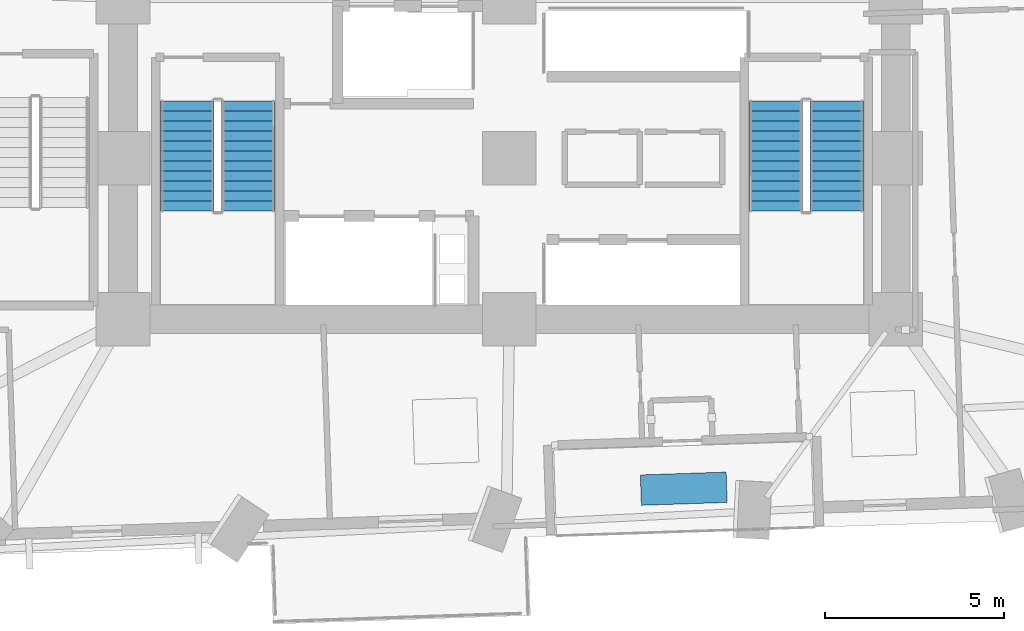
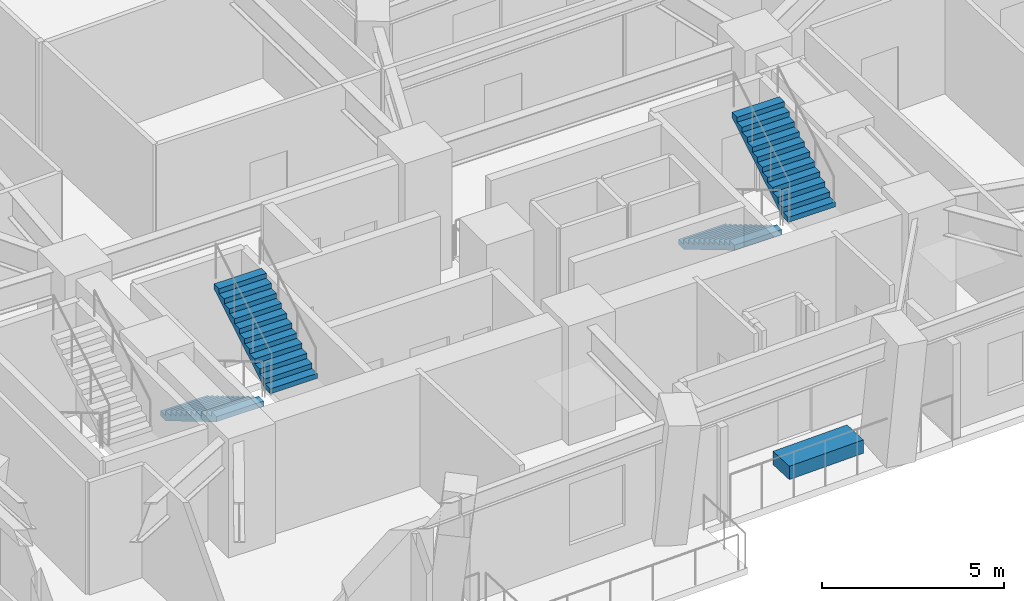
# One storey, part 10 of 14: 4 stair flights, 1 discrete accessory, 2 elements without a shape of their own.
"""IFC4 building model written with IfcOpenShell, lengths in metres."""

from ifc_helpers import new_model, si_unit, direction, frame, origin, origin_2d, place, context, subcontext, project, spatial, polyline, rectangle, outline, extrude, material, type_object, element, aggregate, save


model = new_model("IFC4")

# Units and contexts
model_context = context("Model", 3, precision=1e-05, world=origin(), true_north=direction((0.0, 1.0)))
body_context = subcontext(model_context, "Body", "Model", "MODEL_VIEW")
ifc_project = project(units=[si_unit("LENGTHUNIT", "METRE"), si_unit("AREAUNIT", "SQUARE_METRE"), si_unit("VOLUMEUNIT", "CUBIC_METRE"), si_unit("PLANEANGLEUNIT", "RADIAN"), si_unit("MASSUNIT", "GRAM", prefix="KILO")], contexts=[model_context])

# Site, building, storey
site_placement = place(None, origin())
site = spatial("IfcSite", under=ifc_project, at=site_placement, CompositionType="ELEMENT")
building_placement = place(site_placement, origin())
building = spatial("IfcBuilding", under=site, at=building_placement, Name="Gaonmaruhae Medical Tower", CompositionType="ELEMENT")
storey_placement = place(building_placement, frame((0.0, 0.0, 31.0)))
storey = spatial("IfcBuildingStorey", under=building, at=storey_placement, Name="L06", CompositionType="ELEMENT", Elevation=31.0)

# Stair, stair flights
ifc_material_1 = material(Name="Concrete C40/50", Category="concrete")
stair_type = type_object("IfcStairType", Name="ST-T1 Primary Core Escape Dogleg Stair", PredefinedType="TWO_QUARTER_TURN_STAIR", material=ifc_material_1)
stair_1_placement = place(storey_placement, origin())
stair_1 = element("IfcStair", 1, at=stair_1_placement, inside=storey, type_object=stair_type, Name="L06 Protected Escape Stair ST-01", PredefinedType="TWO_QUARTER_TURN_STAIR")
stair_flight_type = type_object("IfcStairFlightType", Name="SF-T1 Primary Core Precast Stair Flight", PredefinedType="STRAIGHT", material=ifc_material_1)
stair_flight_1_placement = place(storey_placement, frame((15.800048828125, 13.89990234375, 0.0), z_axis=(0.0, 0.0, 1.0), x_axis=(0.0, -1.0, 0.0)))
stair_flight_1 = element("IfcStairFlight", 2, at=stair_flight_1_placement, type_object=stair_flight_type, Name="ST-01 flight 1", NumberOfRisers=12, NumberOfTreads=11, PredefinedType="STRAIGHT", RiserHeight=0.166666667, TreadLength=0.28, context=body_context, shape_type="SweptSolid", body=[
    extrude(outline(polyline([(0.0, 0.0), (0.0, 0.166748046875), (0.280029296875, 0.166748046875), (0.280029296875, 0.333251953125), (0.56005859375, 0.333251953125), (0.56005859375, 0.5), (0.840087890625, 0.5), (0.840087890625, 0.666748046875), (1.1201171875, 0.666748046875), (1.1201171875, 0.833251953125), (1.39990234375, 0.833251953125), (1.39990234375, 1.0), (1.679931640625, 1.0), (1.679931640625, 1.166748046875), (1.9599609375, 1.166748046875), (1.9599609375, 1.333251953125), (2.239990234375, 1.333251953125), (2.239990234375, 1.5), (2.52001953125, 1.5), (2.52001953125, 1.666748046875), (2.800048828125, 1.666748046875), (2.800048828125, 1.833251953125), (3.080078125, 1.833251953125), (3.080078125, 2.0), (3.080078125, 1.658935546875), (0.29296875, 0.0), (0.0, 0.0)])), frame((0.0, 0.75, 0.0), z_axis=(0.0, -1.0, 0.0), x_axis=(1.0, 0.0, 0.0)), (0.0, 0.0, 1.0), 1.5),
])
stair_flight_2_placement = place(storey_placement, frame((17.5, 10.820068359375, 2.0), z_axis=(0.0, 0.0, 1.0), x_axis=(0.0, 1.0, 0.0)))
stair_flight_2 = element("IfcStairFlight", 3, at=stair_flight_2_placement, type_object=stair_flight_type, Name="ST-01 flight 2", NumberOfRisers=12, NumberOfTreads=11, PredefinedType="STRAIGHT", RiserHeight=0.166666667, TreadLength=0.28, context=body_context, shape_type="SweptSolid", body=[
    extrude(outline(polyline([(0.0, 0.0), (0.0, 0.166748046875), (0.280029296875, 0.166748046875), (0.280029296875, 0.333251953125), (0.56005859375, 0.333251953125), (0.56005859375, 0.5), (0.840087890625, 0.5), (0.840087890625, 0.666748046875), (1.1201171875, 0.666748046875), (1.1201171875, 0.833251953125), (1.39990234375, 0.833251953125), (1.39990234375, 1.0), (1.679931640625, 1.0), (1.679931640625, 1.166748046875), (1.9599609375, 1.166748046875), (1.9599609375, 1.333251953125), (2.239990234375, 1.333251953125), (2.239990234375, 1.5), (2.52001953125, 1.5), (2.52001953125, 1.666748046875), (2.800048828125, 1.666748046875), (2.800048828125, 1.833251953125), (3.080078125, 1.833251953125), (3.080078125, 2.0), (3.080078125, 1.658935546875), (0.29296875, 0.0), (0.0, 0.0)])), frame((0.0, 0.75, 0.0), z_axis=(0.0, -1.0, 0.0), x_axis=(1.0, 0.0, 0.0)), (0.0, 0.0, 1.0), 1.5),
])
aggregate(stair_1, [stair_flight_1, stair_flight_2])

stair_2_placement = place(storey_placement, origin())
stair_2 = element("IfcStair", 4, at=stair_2_placement, inside=storey, type_object=stair_type, Name="L06 Protected Escape Stair ST-02", PredefinedType="TWO_QUARTER_TURN_STAIR")
stair_flight_3_placement = place(storey_placement, frame((32.25, 13.89990234375, 0.0), z_axis=(0.0, 0.0, 1.0), x_axis=(0.0, -1.0, 0.0)))
stair_flight_3 = element("IfcStairFlight", 5, at=stair_flight_3_placement, type_object=stair_flight_type, Name="ST-02 flight 1", NumberOfRisers=12, NumberOfTreads=11, PredefinedType="STRAIGHT", RiserHeight=0.166666667, TreadLength=0.28, context=body_context, shape_type="SweptSolid", body=[
    extrude(outline(polyline([(0.0, 0.0), (0.0, 0.166748046875), (0.280029296875, 0.166748046875), (0.280029296875, 0.333251953125), (0.56005859375, 0.333251953125), (0.56005859375, 0.5), (0.840087890625, 0.5), (0.840087890625, 0.666748046875), (1.1201171875, 0.666748046875), (1.1201171875, 0.833251953125), (1.39990234375, 0.833251953125), (1.39990234375, 1.0), (1.679931640625, 1.0), (1.679931640625, 1.166748046875), (1.9599609375, 1.166748046875), (1.9599609375, 1.333251953125), (2.239990234375, 1.333251953125), (2.239990234375, 1.5), (2.52001953125, 1.5), (2.52001953125, 1.666748046875), (2.800048828125, 1.666748046875), (2.800048828125, 1.833251953125), (3.080078125, 1.833251953125), (3.080078125, 2.0), (3.080078125, 1.658935546875), (0.29296875, 0.0), (0.0, 0.0)])), frame((0.0, 0.75, 0.0), z_axis=(0.0, -1.0, 0.0), x_axis=(1.0, 0.0, 0.0)), (0.0, 0.0, 1.0), 1.5),
])
stair_flight_4_placement = place(storey_placement, frame((33.949951171875, 10.820068359375, 2.0), z_axis=(0.0, 0.0, 1.0), x_axis=(0.0, 1.0, 0.0)))
stair_flight_4 = element("IfcStairFlight", 6, at=stair_flight_4_placement, type_object=stair_flight_type, Name="ST-02 flight 2", NumberOfRisers=12, NumberOfTreads=11, PredefinedType="STRAIGHT", RiserHeight=0.166666667, TreadLength=0.28, context=body_context, shape_type="SweptSolid", body=[
    extrude(outline(polyline([(0.0, 0.0), (0.0, 0.166748046875), (0.280029296875, 0.166748046875), (0.280029296875, 0.333251953125), (0.56005859375, 0.333251953125), (0.56005859375, 0.5), (0.840087890625, 0.5), (0.840087890625, 0.666748046875), (1.1201171875, 0.666748046875), (1.1201171875, 0.833251953125), (1.39990234375, 0.833251953125), (1.39990234375, 1.0), (1.679931640625, 1.0), (1.679931640625, 1.166748046875), (1.9599609375, 1.166748046875), (1.9599609375, 1.333251953125), (2.239990234375, 1.333251953125), (2.239990234375, 1.5), (2.52001953125, 1.5), (2.52001953125, 1.666748046875), (2.800048828125, 1.666748046875), (2.800048828125, 1.833251953125), (3.080078125, 1.833251953125), (3.080078125, 2.0), (3.080078125, 1.658935546875), (0.29296875, 0.0), (0.0, 0.0)])), frame((0.0, 0.75, 0.0), z_axis=(0.0, -1.0, 0.0), x_axis=(1.0, 0.0, 0.0)), (0.0, 0.0, 1.0), 1.5),
])
aggregate(stair_2, [stair_flight_3, stair_flight_4])

# Discrete accessory
ifc_material_2 = material(Name="Precast concrete C45/55", Category="concrete")
discrete_accessory_type = type_object("IfcDiscreteAccessoryType", Name="PLN-01 Sky Garden Precast Botanical Planter", PredefinedType="USERDEFINED", material=ifc_material_2)
discrete_accessory_placement = place(storey_placement, frame((29.6767578125, 3.05810546875, 0.0), z_axis=(0.0, 0.0, 1.0), x_axis=(0.999450215942, 0.033155178389, 0.0)))
element("IfcDiscreteAccessory", 7, at=discrete_accessory_placement, inside=storey, type_object=discrete_accessory_type, Name="L06 Sky Garden Botanical Planter SLB-L06-TER", ObjectType="PLANTER", PredefinedType="USERDEFINED", context=body_context, shape_type="SweptSolid", body=[
    extrude(rectangle(XDim=2.39990234375, YDim=0.85009765625, at=origin_2d()), origin(), (0.0, 0.0, 1.0), 0.449951171875),
])

save(model, "model.ifc")
